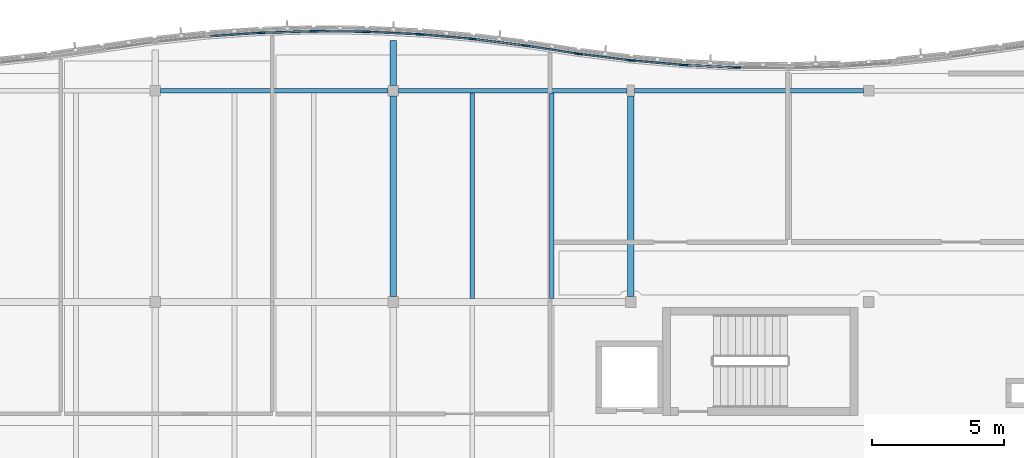
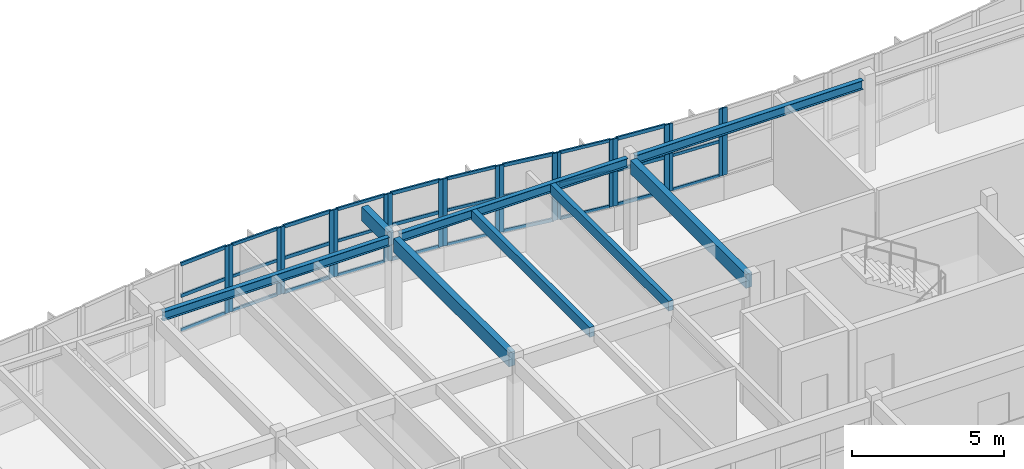
# One storey, part 15 of 52: 49 members, 8 beams, 11 elements without a shape of their own.
"""IFC4 building model written with IfcOpenShell, lengths in metres."""

import ifcopenshell
import ifcopenshell.guid

model = None  # the IFC model being written
_history = None  # IfcOwnerHistory: only IFC2X3 demands one
_inside = {}  # id of a spatial element -> (the spatial element, [elements in it])
_under = {}  # id of a project, library or spatial element -> (it, [spatial elements below it])
_declared = {}  # id of a project -> (the project, [libraries it declares])
_typed = {}  # id of a type object -> (the type object, [elements of that type])
_made_of = {}  # id of a material, layer set ... -> (it, [elements and type objects made of it])


def new_model(schema):
    """Start an empty IFC model of exactly this schema.

    Asked for "IFC4X3", IfcOpenShell would pick the latest addendum, in which some entities
    have other attributes; the version numbers below select the first issue.
    IFC2X3 requires an IfcOwnerHistory on every rooted entity: one is made here for all.
    """
    global model, _history
    if schema == "IFC4X3":
        model = ifcopenshell.file(schema_version=(4, 3, 0, 0))
    else:
        model = ifcopenshell.file(schema=schema)
    _inside.clear()
    _under.clear()
    _declared.clear()
    _typed.clear()
    _made_of.clear()
    _history = None
    if model.schema == "IFC2X3":
        org = make("IfcOrganization", Name="unknown")
        user = make(
            "IfcPersonAndOrganization",
            ThePerson=make("IfcPerson", FamilyName="unknown"),
            TheOrganization=org,
        )
        app = make(
            "IfcApplication",
            ApplicationDeveloper=org,
            Version="unknown",
            ApplicationFullName="unknown",
            ApplicationIdentifier="unknown",
        )
        _history = make(
            "IfcOwnerHistory",
            OwningUser=user,
            OwningApplication=app,
            ChangeAction="ADDED",
            CreationDate=0,
        )
    return model


def make(cls, **values):
    """One entity of the class cls with the attributes given. An attribute that is None is left unset."""
    return model.create_entity(
        cls, **{name: value for name, value in values.items() if value is not None}
    )


def rooted(cls, **values):
    """An entity with a GlobalId (a new one), such as an element, a storey or a relation."""
    return make(cls, GlobalId=ifcopenshell.guid.new(), OwnerHistory=_history, **values)


def si_unit(unit_type, name, prefix=None):
    """IfcSIUnit, for example si_unit("LENGTHUNIT", "METRE", prefix="MILLI")."""
    return make("IfcSIUnit", UnitType=unit_type, Prefix=prefix, Name=name)


def assignment(units):
    """IfcUnitAssignment: the units of a project."""
    return None if units is None else make("IfcUnitAssignment", Units=units)


def point(xyz):
    """IfcCartesianPoint."""
    return None if xyz is None else make("IfcCartesianPoint", Coordinates=xyz)


def direction(xyz):
    """IfcDirection."""
    return None if xyz is None else make("IfcDirection", DirectionRatios=xyz)


def frame(location, z_axis=None, x_axis=None):
    """IfcAxis2Placement3D, a coordinate frame: its origin and axes. An axis left out is left unset."""
    return make(
        "IfcAxis2Placement3D",
        Location=point(location),
        Axis=direction(z_axis),
        RefDirection=direction(x_axis),
    )


def frame_2d(location, x_axis=None):
    """IfcAxis2Placement2D, a coordinate frame in the plane: its origin and x axis."""
    return make(
        "IfcAxis2Placement2D", Location=point(location), RefDirection=direction(x_axis)
    )


def origin():
    """The frame at (0, 0, 0) with its axes left unset."""
    return frame((0.0, 0.0, 0.0))


def origin_2d():
    """The frame at (0, 0) in the plane with its x axis left unset."""
    return frame_2d((0.0, 0.0))


def place(relative_to, where):
    """IfcLocalPlacement: puts the frame where relative to a parent placement (None: the world)."""
    return make(
        "IfcLocalPlacement", PlacementRelTo=relative_to, RelativePlacement=where
    )


def context(
    kind, dimensions, precision=None, world=None, true_north=None, identifier=None
):
    """IfcGeometricRepresentationContext, for example the 3D "Model" context."""
    return make(
        "IfcGeometricRepresentationContext",
        ContextIdentifier=identifier,
        ContextType=kind,
        CoordinateSpaceDimension=dimensions,
        Precision=precision,
        WorldCoordinateSystem=world,
        TrueNorth=true_north,
    )


def subcontext(parent, identifier, kind, view, scale=None):
    """IfcGeometricRepresentationSubContext, for example "Body" below "Model"."""
    return make(
        "IfcGeometricRepresentationSubContext",
        ContextIdentifier=identifier,
        ContextType=kind,
        ParentContext=parent,
        TargetScale=scale,
        TargetView=view,
    )


def project(units=None, contexts=None):
    """IfcProject with its units and contexts."""
    return rooted(
        "IfcProject",
        Name="project",
        RepresentationContexts=contexts,
        UnitsInContext=assignment(units),
    )


def spatial(cls, under=None, at=None, **own):
    """A site, building, storey or space (cls), placed at a placement, below another one or the project."""
    s = rooted(cls, ObjectPlacement=at, **own)
    if under is not None:
        _under.setdefault(under.id(), (under, []))[1].append(s)
    return s


def profile(cls, at=None, kind="AREA", **sizes):
    """A parametric profile (cls). Its sizes go by their IFC names, for example OverallWidth=200.0."""
    return make(cls, ProfileType=kind, Position=at, **sizes)


def rectangle(**sizes):
    """IfcRectangleProfileDef."""
    return profile("IfcRectangleProfileDef", **sizes)


def i_section(**sizes):
    """IfcIShapeProfileDef."""
    return profile("IfcIShapeProfileDef", **sizes)


def extrude(swept, where, along, depth):
    """IfcExtrudedAreaSolid: the profile swept, set in the frame where, extruded along a direction by depth."""
    return make(
        "IfcExtrudedAreaSolid",
        SweptArea=swept,
        Position=where,
        ExtrudedDirection=direction(along),
        Depth=depth,
    )


def shape(context_of_items, identifier, shape_type, items):
    """IfcShapeRepresentation: the items that make up one representation, for example the "Body"."""
    return make(
        "IfcShapeRepresentation",
        ContextOfItems=context_of_items,
        RepresentationIdentifier=identifier,
        RepresentationType=shape_type,
        Items=items,
    )


def material(Name=None, Category=None):
    """IfcMaterial."""
    return make("IfcMaterial", Name=Name, Category=Category)


def layer(
    of_material, thickness, ventilated=None, Name=None, Category=None, Priority=None
):
    """IfcMaterialLayer: one layer of a wall or slab, of a material (None: an air gap)."""
    return make(
        "IfcMaterialLayer",
        Material=of_material,
        LayerThickness=thickness,
        IsVentilated=ventilated,
        Name=Name,
        Category=Category,
        Priority=Priority,
    )


def layer_set(layers, Name=None):
    """IfcMaterialLayerSet."""
    return make("IfcMaterialLayerSet", MaterialLayers=layers, LayerSetName=Name)


def material_profile(
    of_material, cross_section, Name=None, Category=None, Priority=None
):
    """IfcMaterialProfile: a cross section and its material."""
    return make(
        "IfcMaterialProfile",
        Name=Name,
        Material=of_material,
        Profile=cross_section,
        Priority=Priority,
        Category=Category,
    )


def profile_set(profiles, Name=None, composite=None):
    """IfcMaterialProfileSet."""
    return make(
        "IfcMaterialProfileSet",
        Name=Name,
        MaterialProfiles=profiles,
        CompositeProfile=composite,
    )


def made_of(thing, what):
    """Note that an element or type object is made of a material, layer set ...; save() writes the relation."""
    if what is not None:
        _made_of.setdefault(what.id(), (what, []))[1].append(thing)
    return thing


def type_object(cls, material=None, **own):
    """A type object (cls), such as IfcWallType, which elements share."""
    return made_of(rooted(cls, **own), material)


def element(
    cls,
    number,
    at=None,
    inside=None,
    cuts=None,
    type_object=None,
    material=None,
    context=None,
    identifier="Body",
    shape_type=None,
    held_by="IfcProductDefinitionShape",
    body=None,
    shapes=None,
    **own,
):
    """One element of the class cls, such as IfcWall. Its Tag is "e" and its number.

    at: its placement. inside: the storey or other place that contains it. cuts: it is an
    opening in that element (IfcRelVoidsElement). A single representation is given by context,
    identifier, shape_type and body (its items); several are given by shapes. held_by: the class
    of the entity that holds the representations. save() writes the other relations.
    """
    e = rooted(cls, Tag="e%d" % number, ObjectPlacement=at, **own)
    if body is not None:
        shapes = [shape(context, identifier, shape_type, body)]
    if shapes is not None:
        e.Representation = make(held_by, Representations=shapes)
    if inside is not None:
        _inside.setdefault(inside.id(), (inside, []))[1].append(e)
    if cuts is not None:
        rooted(
            "IfcRelVoidsElement", RelatingBuildingElement=cuts, RelatedOpeningElement=e
        )
    if type_object is not None:
        _typed.setdefault(type_object.id(), (type_object, []))[1].append(e)
    return made_of(e, material)


def aggregate(whole, parts):
    """IfcRelAggregates: a whole, such as a stair, and the parts it consists of."""
    return rooted("IfcRelAggregates", RelatingObject=whole, RelatedObjects=parts)


def save(model, path):
    """Write the relations noted so far, then the file.

    IfcRelAggregates (storeys below a building ...), IfcRelContainedInSpatialStructure (elements
    in a storey), IfcRelDefinesByType, IfcRelAssociatesMaterial and IfcRelDeclares: one each for
    every whole, place, type object, material and project.
    """
    for whole, parts in _under.values():
        aggregate(whole, parts)
    for where, things in _inside.values():
        rooted(
            "IfcRelContainedInSpatialStructure",
            RelatedElements=things,
            RelatingStructure=where,
        )
    for kind, things in _typed.values():
        rooted("IfcRelDefinesByType", RelatedObjects=things, RelatingType=kind)
    for what, things in _made_of.values():
        rooted("IfcRelAssociatesMaterial", RelatedObjects=things, RelatingMaterial=what)
    for by, libraries in _declared.values():
        rooted("IfcRelDeclares", RelatingContext=by, RelatedDefinitions=libraries)
    model.write(path)


model = new_model("IFC4")

# Units and contexts
model_context = context("Model", 3, precision=1e-05, world=origin(), true_north=direction((0.0, 1.0)))
body_context = subcontext(model_context, "Body", "Model", "MODEL_VIEW")
ifc_project = project(units=[si_unit("LENGTHUNIT", "METRE"), si_unit("AREAUNIT", "SQUARE_METRE"), si_unit("VOLUMEUNIT", "CUBIC_METRE"), si_unit("PLANEANGLEUNIT", "RADIAN"), si_unit("MASSUNIT", "GRAM", prefix="KILO")], contexts=[model_context])

# Site, building, storey
site_placement = place(None, origin())
site = spatial("IfcSite", under=ifc_project, at=site_placement, CompositionType="ELEMENT")
building_placement = place(site_placement, origin())
building = spatial("IfcBuilding", under=site, at=building_placement, Name="Tonlespit Floodbar School", CompositionType="ELEMENT")
storey_placement = place(building_placement, frame((0.0, 0.0, 12.300048828125)))
storey = spatial("IfcBuildingStorey", under=building, at=storey_placement, Name="L03", CompositionType="ELEMENT", Elevation=12.300048828125)

# Beams
ifc_material_1 = material(Name="Glulam GL28h", Category="wood")
ifc_material_profile_1 = material_profile(ifc_material_1, rectangle(XDim=0.239990234375, YDim=0.56005859375, at=origin_2d()), Name="GL 240x560")
ifc_profile_set_1 = profile_set([ifc_material_profile_1], Name="Glulam GL28h")
beam_type_1 = type_object("IfcBeamType", Name="Beam_GL_240x560", PredefinedType="BEAM", material=ifc_profile_set_1)
beam_1_placement = place(storey_placement, frame((89.0, 112.199951171875, 3.369873046875), z_axis=(0.0, 1.0, 0.0), x_axis=(-1.0, 0.0, 0.0)))
element("IfcBeam", 1, at=beam_1_placement, inside=storey, type_object=beam_type_1, Name="L03 girder 1230", PredefinedType="BEAM", context=body_context, shape_type="SweptSolid", body=[
    extrude(rectangle(XDim=0.239990234375, YDim=0.56005859375, at=origin_2d()), origin(), (0.0, 0.0, 1.0), 7.60009765625),
])
beam_2_placement = place(storey_placement, frame((98.0, 112.199951171875, 3.369873046875), z_axis=(0.0, 1.0, 0.0), x_axis=(-1.0, 0.0, 0.0)))
element("IfcBeam", 2, at=beam_2_placement, inside=storey, type_object=beam_type_1, Name="L03 girder 1231", PredefinedType="BEAM", context=body_context, shape_type="SweptSolid", body=[
    extrude(rectangle(XDim=0.239990234375, YDim=0.56005859375, at=origin_2d()), origin(), (0.0, 0.0, 1.0), 7.590087890625),
])
beam_3_placement = place(storey_placement, frame((89.0, 120.199951171875, 3.369873046875), z_axis=(0.0, 1.0, 0.0), x_axis=(-1.0, 0.0, 0.0)))
element("IfcBeam", 3, at=beam_3_placement, inside=storey, type_object=beam_type_1, Name="L03 north street wave cantilever bracket", PredefinedType="BEAM", context=body_context, shape_type="SweptSolid", body=[
    extrude(rectangle(XDim=0.239990234375, YDim=0.56005859375, at=origin_2d()), origin(), (0.0, 0.0, 1.0), 1.689453125),
])

# Curtain wall, members
ifc_material_2 = material(Name="Anodised Aluminium", Category="aluminium")
ifc_layer_1 = layer(ifc_material_2, 0.159912109375)
ifc_layer_set_1 = layer_set([ifc_layer_1], Name="Anodised Aluminium")
curtain_wall_type_1 = type_object("IfcCurtainWallType", Name="CurtainWall_1900x2700", PredefinedType="NOTDEFINED", material=ifc_layer_set_1)
curtain_wall_1_placement = place(storey_placement, origin())
curtain_wall_1 = element("IfcCurtainWall", 4, at=curtain_wall_1_placement, inside=storey, type_object=curtain_wall_type_1, Name="L03 unitised curtain wall 0144", PredefinedType="NOTDEFINED")
ifc_material_profile_2 = material_profile(ifc_material_2, rectangle(XDim=0.06494140625, YDim=0.14990234375, at=origin_2d()), Name="ALU M65x150")
ifc_profile_set_2 = profile_set([ifc_material_profile_2], Name="Anodised Aluminium")
member_type_1 = type_object("IfcMemberType", Name="CW_Mullion_65x150", PredefinedType="MULLION", material=ifc_profile_set_2)
member_1_placement = place(storey_placement, frame((84.072509765625, 122.19140625, 0.949951171875), z_axis=(0.0, 0.0, 1.0), x_axis=(-0.028790144226, 0.999585477883, 0.0)))
member_1 = element("IfcMember", 5, at=member_1_placement, type_object=member_type_1, Name="CW-05 mullion 1", PredefinedType="MULLION", context=body_context, shape_type="SweptSolid", body=[
    extrude(rectangle(XDim=0.06494140625, YDim=0.14990234375, at=origin_2d()), origin(), (0.0, 0.0, 1.0), 2.699951171875),
])
member_2_placement = place(storey_placement, frame((85.927490234375, 122.244873046875, 0.949951171875), z_axis=(0.0, 0.0, 1.0), x_axis=(-0.028790144226, 0.999585477883, 0.0)))
member_2 = element("IfcMember", 6, at=member_2_placement, type_object=member_type_1, Name="CW-05 mullion 2", PredefinedType="MULLION", context=body_context, shape_type="SweptSolid", body=[
    extrude(rectangle(XDim=0.06494140625, YDim=0.14990234375, at=origin_2d()), origin(), (0.0, 0.0, 1.0), 2.699951171875),
])

curtain_wall_2_placement = place(storey_placement, origin())
curtain_wall_2 = element("IfcCurtainWall", 7, at=curtain_wall_2_placement, inside=storey, type_object=curtain_wall_type_1, Name="L03 unitised curtain wall 0146", PredefinedType="NOTDEFINED")
member_3_placement = place(storey_placement, frame((88.072509765625, 122.224365234375, 0.949951171875), z_axis=(0.0, 0.0, 1.0), x_axis=(0.048121270216, 0.998841500616, 0.0)))
member_3 = element("IfcMember", 8, at=member_3_placement, type_object=member_type_1, Name="CW-05 mullion 1", PredefinedType="MULLION", context=body_context, shape_type="SweptSolid", body=[
    extrude(rectangle(XDim=0.06494140625, YDim=0.14990234375, at=origin_2d()), origin(), (0.0, 0.0, 1.0), 2.699951171875),
])
member_4_placement = place(storey_placement, frame((89.927490234375, 122.135009765625, 0.949951171875), z_axis=(0.0, 0.0, 1.0), x_axis=(0.048121270216, 0.998841500616, 0.0)))
member_4 = element("IfcMember", 9, at=member_4_placement, type_object=member_type_1, Name="CW-05 mullion 2", PredefinedType="MULLION", context=body_context, shape_type="SweptSolid", body=[
    extrude(rectangle(XDim=0.06494140625, YDim=0.14990234375, at=origin_2d()), origin(), (0.0, 0.0, 1.0), 2.699951171875),
])

ifc_layer_2 = layer(ifc_material_2, 0.159912109375)
ifc_layer_set_2 = layer_set([ifc_layer_2], Name="Anodised Aluminium")
curtain_wall_type_2 = type_object("IfcCurtainWallType", Name="CurtainWall_1950x2700", PredefinedType="NOTDEFINED", material=ifc_layer_set_2)
curtain_wall_3_placement = place(storey_placement, origin())
curtain_wall_3 = element("IfcCurtainWall", 10, at=curtain_wall_3_placement, inside=storey, type_object=curtain_wall_type_2, Name="L03 unitised curtain wall 0148", PredefinedType="NOTDEFINED")
member_5_placement = place(storey_placement, frame((92.072021484375, 121.94873046875, 0.949951171875), z_axis=(0.0, 0.0, 1.0), x_axis=(0.125013803299, 0.992155002499, 0.0)))
member_5 = element("IfcMember", 11, at=member_5_placement, type_object=member_type_1, Name="CW-04 mullion 1", PredefinedType="MULLION", context=body_context, shape_type="SweptSolid", body=[
    extrude(rectangle(XDim=0.06494140625, YDim=0.14990234375, at=origin_2d()), origin(), (0.0, 0.0, 1.0), 2.699951171875),
])
member_6_placement = place(storey_placement, frame((93.927978515625, 121.71484375, 0.949951171875), z_axis=(0.0, 0.0, 1.0), x_axis=(0.125013803299, 0.992155002499, 0.0)))
member_6 = element("IfcMember", 12, at=member_6_placement, type_object=member_type_1, Name="CW-04 mullion 2", PredefinedType="MULLION", context=body_context, shape_type="SweptSolid", body=[
    extrude(rectangle(XDim=0.06494140625, YDim=0.14990234375, at=origin_2d()), origin(), (0.0, 0.0, 1.0), 2.699951171875),
])

curtain_wall_4_placement = place(storey_placement, origin())
curtain_wall_4 = element("IfcCurtainWall", 13, at=curtain_wall_4_placement, inside=storey, type_object=curtain_wall_type_2, Name="L03 unitised curtain wall 0150", PredefinedType="NOTDEFINED")
member_7_placement = place(storey_placement, frame((96.072021484375, 121.38525390625, 0.949951171875), z_axis=(0.0, 0.0, 1.0), x_axis=(0.125013803299, 0.992155002499, 0.0)))
member_7 = element("IfcMember", 14, at=member_7_placement, type_object=member_type_1, Name="CW-04 mullion 1", PredefinedType="MULLION", context=body_context, shape_type="SweptSolid", body=[
    extrude(rectangle(XDim=0.06494140625, YDim=0.14990234375, at=origin_2d()), origin(), (0.0, 0.0, 1.0), 2.699951171875),
])
member_8_placement = place(storey_placement, frame((97.927978515625, 121.1513671875, 0.949951171875), z_axis=(0.0, 0.0, 1.0), x_axis=(0.125013803299, 0.992155002499, 0.0)))
member_8 = element("IfcMember", 15, at=member_8_placement, type_object=member_type_1, Name="CW-04 mullion 2", PredefinedType="MULLION", context=body_context, shape_type="SweptSolid", body=[
    extrude(rectangle(XDim=0.06494140625, YDim=0.14990234375, at=origin_2d()), origin(), (0.0, 0.0, 1.0), 2.699951171875),
])

curtain_wall_5_placement = place(storey_placement, origin())
curtain_wall_5 = element("IfcCurtainWall", 16, at=curtain_wall_5_placement, inside=storey, type_object=curtain_wall_type_1, Name="L03 unitised curtain wall 0152", PredefinedType="NOTDEFINED")
member_9_placement = place(storey_placement, frame((100.072509765625, 120.965087890625, 0.949951171875), z_axis=(0.0, 0.0, 1.0), x_axis=(0.048121270216, 0.998841500616, 0.0)))
member_9 = element("IfcMember", 17, at=member_9_placement, type_object=member_type_1, Name="CW-05 mullion 1", PredefinedType="MULLION", context=body_context, shape_type="SweptSolid", body=[
    extrude(rectangle(XDim=0.06494140625, YDim=0.14990234375, at=origin_2d()), origin(), (0.0, 0.0, 1.0), 2.699951171875),
])
member_10_placement = place(storey_placement, frame((101.927490234375, 120.875732421875, 0.949951171875), z_axis=(0.0, 0.0, 1.0), x_axis=(0.048121270216, 0.998841500616, 0.0)))
member_10 = element("IfcMember", 18, at=member_10_placement, type_object=member_type_1, Name="CW-05 mullion 2", PredefinedType="MULLION", context=body_context, shape_type="SweptSolid", body=[
    extrude(rectangle(XDim=0.06494140625, YDim=0.14990234375, at=origin_2d()), origin(), (0.0, 0.0, 1.0), 2.699951171875),
])

# Curtain wall, member
curtain_wall_6_placement = place(storey_placement, origin())
curtain_wall_6 = element("IfcCurtainWall", 19, at=curtain_wall_6_placement, inside=storey, type_object=curtain_wall_type_1, Name="L03 unitised curtain wall 0143", PredefinedType="NOTDEFINED")
ifc_material_profile_3 = material_profile(ifc_material_2, rectangle(XDim=0.06494140625, YDim=0.179931640625, at=origin_2d()), Name="ALU M65x180")
ifc_profile_set_3 = profile_set([ifc_material_profile_3], Name="Anodised Aluminium")
member_type_2 = type_object("IfcMemberType", Name="CW_Mullion_65x180", PredefinedType="MULLION", material=ifc_profile_set_3)
member_11_placement = place(storey_placement, frame((83.927734375, 122.184326171875, 0.949951171875), z_axis=(0.0, 0.0, 1.0), x_axis=(-0.067339767311, 0.99773010165, 0.0)))
member_11 = element("IfcMember", 20, at=member_11_placement, type_object=member_type_2, Name="CW-05 mullion 2", PredefinedType="MULLION", context=body_context, shape_type="SweptSolid", body=[
    extrude(rectangle(XDim=0.06494140625, YDim=0.179931640625, at=origin_2d()), origin(), (0.0, 0.0, 1.0), 2.699951171875),
])

# Curtain wall, members
curtain_wall_7_placement = place(storey_placement, origin())
curtain_wall_7 = element("IfcCurtainWall", 21, at=curtain_wall_7_placement, inside=storey, type_object=curtain_wall_type_1, Name="L03 unitised curtain wall 0145", PredefinedType="NOTDEFINED")
member_12_placement = place(storey_placement, frame((86.072509765625, 122.246337890625, 0.949951171875), z_axis=(0.0, 0.0, 1.0), x_axis=(0.009582893292, 0.999954083024, 0.0)))
member_12 = element("IfcMember", 22, at=member_12_placement, type_object=member_type_2, Name="CW-05 mullion 1", PredefinedType="MULLION", context=body_context, shape_type="SweptSolid", body=[
    extrude(rectangle(XDim=0.06494140625, YDim=0.179931640625, at=origin_2d()), origin(), (0.0, 0.0, 1.0), 2.699951171875),
])
member_13_placement = place(storey_placement, frame((87.927490234375, 122.228515625, 0.949951171875), z_axis=(0.0, 0.0, 1.0), x_axis=(0.009582893292, 0.999954083024, 0.0)))
member_13 = element("IfcMember", 23, at=member_13_placement, type_object=member_type_2, Name="CW-05 mullion 2", PredefinedType="MULLION", context=body_context, shape_type="SweptSolid", body=[
    extrude(rectangle(XDim=0.06494140625, YDim=0.179931640625, at=origin_2d()), origin(), (0.0, 0.0, 1.0), 2.699951171875),
])

curtain_wall_8_placement = place(storey_placement, origin())
curtain_wall_8 = element("IfcCurtainWall", 24, at=curtain_wall_8_placement, inside=storey, type_object=curtain_wall_type_2, Name="L03 unitised curtain wall 0147", PredefinedType="NOTDEFINED")
member_14_placement = place(storey_placement, frame((90.072265625, 122.125244140625, 0.949951171875), z_axis=(0.0, 0.0, 1.0), x_axis=(0.086531117454, 0.996249148412, 0.0)))
member_14 = element("IfcMember", 25, at=member_14_placement, type_object=member_type_2, Name="CW-04 mullion 1", PredefinedType="MULLION", context=body_context, shape_type="SweptSolid", body=[
    extrude(rectangle(XDim=0.06494140625, YDim=0.179931640625, at=origin_2d()), origin(), (0.0, 0.0, 1.0), 2.699951171875),
])
member_15_placement = place(storey_placement, frame((91.927734375, 121.964111328125, 0.949951171875), z_axis=(0.0, 0.0, 1.0), x_axis=(0.086531117454, 0.996249148412, 0.0)))
member_15 = element("IfcMember", 26, at=member_15_placement, type_object=member_type_2, Name="CW-04 mullion 2", PredefinedType="MULLION", context=body_context, shape_type="SweptSolid", body=[
    extrude(rectangle(XDim=0.06494140625, YDim=0.179931640625, at=origin_2d()), origin(), (0.0, 0.0, 1.0), 2.699951171875),
])

curtain_wall_9_placement = place(storey_placement, origin())
curtain_wall_9 = element("IfcCurtainWall", 27, at=curtain_wall_9_placement, inside=storey, type_object=curtain_wall_type_2, Name="L03 unitised curtain wall 0149", PredefinedType="NOTDEFINED")
member_16_placement = place(storey_placement, frame((94.071533203125, 121.694580078125, 0.949951171875), z_axis=(0.0, 0.0, 1.0), x_axis=(0.153796288585, 0.988102576465, 0.0)))
member_16 = element("IfcMember", 28, at=member_16_placement, type_object=member_type_2, Name="CW-04 mullion 1", PredefinedType="MULLION", context=body_context, shape_type="SweptSolid", body=[
    extrude(rectangle(XDim=0.06494140625, YDim=0.179931640625, at=origin_2d()), origin(), (0.0, 0.0, 1.0), 2.699951171875),
])
member_17_placement = place(storey_placement, frame((95.928466796875, 121.405517578125, 0.949951171875), z_axis=(0.0, 0.0, 1.0), x_axis=(0.153796288585, 0.988102576465, 0.0)))
member_17 = element("IfcMember", 29, at=member_17_placement, type_object=member_type_2, Name="CW-04 mullion 2", PredefinedType="MULLION", context=body_context, shape_type="SweptSolid", body=[
    extrude(rectangle(XDim=0.06494140625, YDim=0.179931640625, at=origin_2d()), origin(), (0.0, 0.0, 1.0), 2.699951171875),
])

curtain_wall_10_placement = place(storey_placement, origin())
curtain_wall_10 = element("IfcCurtainWall", 30, at=curtain_wall_10_placement, inside=storey, type_object=curtain_wall_type_2, Name="L03 unitised curtain wall 0151", PredefinedType="NOTDEFINED")
member_18_placement = place(storey_placement, frame((98.072265625, 121.135986328125, 0.949951171875), z_axis=(0.0, 0.0, 1.0), x_axis=(0.086531117454, 0.996249148412, 0.0)))
member_18 = element("IfcMember", 31, at=member_18_placement, type_object=member_type_2, Name="CW-04 mullion 1", PredefinedType="MULLION", context=body_context, shape_type="SweptSolid", body=[
    extrude(rectangle(XDim=0.06494140625, YDim=0.179931640625, at=origin_2d()), origin(), (0.0, 0.0, 1.0), 2.699951171875),
])
member_19_placement = place(storey_placement, frame((99.927734375, 120.974853515625, 0.949951171875), z_axis=(0.0, 0.0, 1.0), x_axis=(0.086531117454, 0.996249148412, 0.0)))
member_19 = element("IfcMember", 32, at=member_19_placement, type_object=member_type_2, Name="CW-04 mullion 2", PredefinedType="MULLION", context=body_context, shape_type="SweptSolid", body=[
    extrude(rectangle(XDim=0.06494140625, YDim=0.179931640625, at=origin_2d()), origin(), (0.0, 0.0, 1.0), 2.699951171875),
])

# Curtain wall, member
curtain_wall_11_placement = place(storey_placement, origin())
curtain_wall_11 = element("IfcCurtainWall", 33, at=curtain_wall_11_placement, inside=storey, type_object=curtain_wall_type_1, Name="L03 unitised curtain wall 0153", PredefinedType="NOTDEFINED")
member_20_placement = place(storey_placement, frame((102.072509765625, 120.87158203125, 0.949951171875), z_axis=(0.0, 0.0, 1.0), x_axis=(0.009582893292, 0.999954083024, 0.0)))
member_20 = element("IfcMember", 34, at=member_20_placement, type_object=member_type_2, Name="CW-05 mullion 1", PredefinedType="MULLION", context=body_context, shape_type="SweptSolid", body=[
    extrude(rectangle(XDim=0.06494140625, YDim=0.179931640625, at=origin_2d()), origin(), (0.0, 0.0, 1.0), 2.699951171875),
])
aggregate(curtain_wall_11, [member_20])

# Member
ifc_material_profile_4 = material_profile(ifc_material_2, rectangle(XDim=0.06494140625, YDim=0.1201171875, at=origin_2d()), Name="ALU T65x120")
ifc_profile_set_4 = profile_set([ifc_material_profile_4], Name="Anodised Aluminium")
member_type_3 = type_object("IfcMemberType", Name="CW_Transom_65x120", PredefinedType="USERDEFINED", material=ifc_profile_set_4)
member_21_placement = place(storey_placement, frame((84.10498046875, 122.1923828125, 0.982421875), z_axis=(0.999586171543, 0.02876605049, 0.0), x_axis=(-0.02876605049, 0.999586171543, 0.0)))
member_21 = element("IfcMember", 35, at=member_21_placement, type_object=member_type_3, Name="CW-05 transom 1.1", ObjectType="TRANSOM", PredefinedType="USERDEFINED", context=body_context, shape_type="SweptSolid", body=[
    extrude(rectangle(XDim=0.06494140625, YDim=0.1201171875, at=origin_2d()), origin(), (0.0, 0.0, 1.0), 1.790771484375),
])

member_22_placement = place(storey_placement, frame((84.10498046875, 122.1923828125, 2.35400390625), z_axis=(0.999586171543, 0.02876605049, 0.0), x_axis=(-0.02876605049, 0.999586171543, 0.0)))
member_22 = element("IfcMember", 36, at=member_22_placement, type_object=member_type_3, Name="CW-05 transom 1.2", ObjectType="TRANSOM", PredefinedType="USERDEFINED", context=body_context, shape_type="SweptSolid", body=[
    extrude(rectangle(XDim=0.06494140625, YDim=0.1201171875, at=origin_2d()), origin(), (0.0, 0.0, 1.0), 1.790771484375),
])

member_23_placement = place(storey_placement, frame((84.10498046875, 122.1923828125, 3.617431640625), z_axis=(0.999586171543, 0.02876605049, 0.0), x_axis=(-0.02876605049, 0.999586171543, 0.0)))
member_23 = element("IfcMember", 37, at=member_23_placement, type_object=member_type_3, Name="CW-05 transom 1.3", ObjectType="TRANSOM", PredefinedType="USERDEFINED", context=body_context, shape_type="SweptSolid", body=[
    extrude(rectangle(XDim=0.06494140625, YDim=0.1201171875, at=origin_2d()), origin(), (0.0, 0.0, 1.0), 1.790771484375),
])

aggregate(curtain_wall_1, [member_1, member_2, member_21, member_22, member_23])

member_24_placement = place(storey_placement, frame((88.10498046875, 122.22265625, 0.982421875), z_axis=(0.998843034795, -0.048089415069, 0.0), x_axis=(0.048089415069, 0.998843034795, 0.0)))
member_24 = element("IfcMember", 38, at=member_24_placement, type_object=member_type_3, Name="CW-05 transom 1.1", ObjectType="TRANSOM", PredefinedType="USERDEFINED", context=body_context, shape_type="SweptSolid", body=[
    extrude(rectangle(XDim=0.06494140625, YDim=0.1201171875, at=origin_2d()), origin(), (0.0, 0.0, 1.0), 1.7919921875),
])

member_25_placement = place(storey_placement, frame((88.10498046875, 122.22265625, 2.35400390625), z_axis=(0.998843034795, -0.048089415069, 0.0), x_axis=(0.048089415069, 0.998843034795, 0.0)))
member_25 = element("IfcMember", 39, at=member_25_placement, type_object=member_type_3, Name="CW-05 transom 1.2", ObjectType="TRANSOM", PredefinedType="USERDEFINED", context=body_context, shape_type="SweptSolid", body=[
    extrude(rectangle(XDim=0.06494140625, YDim=0.1201171875, at=origin_2d()), origin(), (0.0, 0.0, 1.0), 1.7919921875),
])

member_26_placement = place(storey_placement, frame((88.10498046875, 122.22265625, 3.617431640625), z_axis=(0.998843034795, -0.048089415069, 0.0), x_axis=(0.048089415069, 0.998843034795, 0.0)))
member_26 = element("IfcMember", 40, at=member_26_placement, type_object=member_type_3, Name="CW-05 transom 1.3", ObjectType="TRANSOM", PredefinedType="USERDEFINED", context=body_context, shape_type="SweptSolid", body=[
    extrude(rectangle(XDim=0.06494140625, YDim=0.1201171875, at=origin_2d()), origin(), (0.0, 0.0, 1.0), 1.7919921875),
])

aggregate(curtain_wall_2, [member_3, member_4, member_24, member_25, member_26])

member_27_placement = place(storey_placement, frame((92.104248046875, 121.944580078125, 0.982421875), z_axis=(0.992148373735, -0.125066400341, 0.0), x_axis=(0.125066400341, 0.992148373735, 0.0)))
member_27 = element("IfcMember", 41, at=member_27_placement, type_object=member_type_3, Name="CW-04 transom 1.1", ObjectType="TRANSOM", PredefinedType="USERDEFINED", context=body_context, shape_type="SweptSolid", body=[
    extrude(rectangle(XDim=0.06494140625, YDim=0.1201171875, at=origin_2d()), origin(), (0.0, 0.0, 1.0), 1.8056640625),
])

member_28_placement = place(storey_placement, frame((92.104248046875, 121.944580078125, 2.35400390625), z_axis=(0.992148373735, -0.125066400341, 0.0), x_axis=(0.125066400341, 0.992148373735, 0.0)))
member_28 = element("IfcMember", 42, at=member_28_placement, type_object=member_type_3, Name="CW-04 transom 1.2", ObjectType="TRANSOM", PredefinedType="USERDEFINED", context=body_context, shape_type="SweptSolid", body=[
    extrude(rectangle(XDim=0.06494140625, YDim=0.1201171875, at=origin_2d()), origin(), (0.0, 0.0, 1.0), 1.8056640625),
])

member_29_placement = place(storey_placement, frame((92.104248046875, 121.944580078125, 3.617431640625), z_axis=(0.992148373735, -0.125066400341, 0.0), x_axis=(0.125066400341, 0.992148373735, 0.0)))
member_29 = element("IfcMember", 43, at=member_29_placement, type_object=member_type_3, Name="CW-04 transom 1.3", ObjectType="TRANSOM", PredefinedType="USERDEFINED", context=body_context, shape_type="SweptSolid", body=[
    extrude(rectangle(XDim=0.06494140625, YDim=0.1201171875, at=origin_2d()), origin(), (0.0, 0.0, 1.0), 1.8056640625),
])

aggregate(curtain_wall_3, [member_5, member_6, member_27, member_28, member_29])

member_30_placement = place(storey_placement, frame((96.104248046875, 121.381103515625, 0.982421875), z_axis=(0.992165142165, -0.124933304901, 0.0), x_axis=(0.124933304901, 0.992165142165, 0.0)))
member_30 = element("IfcMember", 44, at=member_30_placement, type_object=member_type_3, Name="CW-04 transom 1.1", ObjectType="TRANSOM", PredefinedType="USERDEFINED", context=body_context, shape_type="SweptSolid", body=[
    extrude(rectangle(XDim=0.06494140625, YDim=0.1201171875, at=origin_2d()), origin(), (0.0, 0.0, 1.0), 1.8056640625),
])

member_31_placement = place(storey_placement, frame((96.104248046875, 121.381103515625, 2.35400390625), z_axis=(0.992165142165, -0.124933304901, 0.0), x_axis=(0.124933304901, 0.992165142165, 0.0)))
member_31 = element("IfcMember", 45, at=member_31_placement, type_object=member_type_3, Name="CW-04 transom 1.2", ObjectType="TRANSOM", PredefinedType="USERDEFINED", context=body_context, shape_type="SweptSolid", body=[
    extrude(rectangle(XDim=0.06494140625, YDim=0.1201171875, at=origin_2d()), origin(), (0.0, 0.0, 1.0), 1.8056640625),
])

member_32_placement = place(storey_placement, frame((96.104248046875, 121.381103515625, 3.617431640625), z_axis=(0.992165142165, -0.124933304901, 0.0), x_axis=(0.124933304901, 0.992165142165, 0.0)))
member_32 = element("IfcMember", 46, at=member_32_placement, type_object=member_type_3, Name="CW-04 transom 1.3", ObjectType="TRANSOM", PredefinedType="USERDEFINED", context=body_context, shape_type="SweptSolid", body=[
    extrude(rectangle(XDim=0.06494140625, YDim=0.1201171875, at=origin_2d()), origin(), (0.0, 0.0, 1.0), 1.8056640625),
])

aggregate(curtain_wall_4, [member_7, member_8, member_30, member_31, member_32])

member_33_placement = place(storey_placement, frame((100.10498046875, 120.96337890625, 0.982421875), z_axis=(0.998843034795, -0.048089415069, 0.0), x_axis=(0.048089415069, 0.998843034795, 0.0)))
member_33 = element("IfcMember", 47, at=member_33_placement, type_object=member_type_3, Name="CW-05 transom 1.1", ObjectType="TRANSOM", PredefinedType="USERDEFINED", context=body_context, shape_type="SweptSolid", body=[
    extrude(rectangle(XDim=0.06494140625, YDim=0.1201171875, at=origin_2d()), origin(), (0.0, 0.0, 1.0), 1.7919921875),
])

member_34_placement = place(storey_placement, frame((100.10498046875, 120.96337890625, 2.35400390625), z_axis=(0.998843034795, -0.048089415069, 0.0), x_axis=(0.048089415069, 0.998843034795, 0.0)))
member_34 = element("IfcMember", 48, at=member_34_placement, type_object=member_type_3, Name="CW-05 transom 1.2", ObjectType="TRANSOM", PredefinedType="USERDEFINED", context=body_context, shape_type="SweptSolid", body=[
    extrude(rectangle(XDim=0.06494140625, YDim=0.1201171875, at=origin_2d()), origin(), (0.0, 0.0, 1.0), 1.7919921875),
])

aggregate(curtain_wall_5, [member_9, member_10, member_33, member_34])

ifc_material_profile_5 = material_profile(ifc_material_2, rectangle(XDim=0.06494140625, YDim=0.139892578125, at=origin_2d()), Name="ALU T65x140")
ifc_profile_set_5 = profile_set([ifc_material_profile_5], Name="Anodised Aluminium")
member_type_4 = type_object("IfcMemberType", Name="CW_Transom_65x140", PredefinedType="USERDEFINED", material=ifc_profile_set_5)
member_35_placement = place(storey_placement, frame((82.104736328125, 122.061279296875, 0.982421875), z_axis=(0.997730041674, 0.067340655935, 0.0), x_axis=(-0.067340655935, 0.997730041674, 0.0)))
member_35 = element("IfcMember", 49, at=member_35_placement, type_object=member_type_4, Name="CW-05 transom 1.1", ObjectType="TRANSOM", PredefinedType="USERDEFINED", context=body_context, shape_type="SweptSolid", body=[
    extrude(rectangle(XDim=0.06494140625, YDim=0.139892578125, at=origin_2d()), origin(), (0.0, 0.0, 1.0), 1.794677734375),
])

member_36_placement = place(storey_placement, frame((82.104736328125, 122.061279296875, 2.35400390625), z_axis=(0.997730041674, 0.067340655935, 0.0), x_axis=(-0.067340655935, 0.997730041674, 0.0)))
member_36 = element("IfcMember", 50, at=member_36_placement, type_object=member_type_4, Name="CW-05 transom 1.2", ObjectType="TRANSOM", PredefinedType="USERDEFINED", context=body_context, shape_type="SweptSolid", body=[
    extrude(rectangle(XDim=0.06494140625, YDim=0.139892578125, at=origin_2d()), origin(), (0.0, 0.0, 1.0), 1.794677734375),
])

member_37_placement = place(storey_placement, frame((82.104736328125, 122.061279296875, 3.617431640625), z_axis=(0.997730041674, 0.067340655935, 0.0), x_axis=(-0.067340655935, 0.997730041674, 0.0)))
member_37 = element("IfcMember", 51, at=member_37_placement, type_object=member_type_4, Name="CW-05 transom 1.3", ObjectType="TRANSOM", PredefinedType="USERDEFINED", context=body_context, shape_type="SweptSolid", body=[
    extrude(rectangle(XDim=0.06494140625, YDim=0.139892578125, at=origin_2d()), origin(), (0.0, 0.0, 1.0), 1.794677734375),
])

aggregate(curtain_wall_6, [member_11, member_35, member_36, member_37])

member_38_placement = place(storey_placement, frame((86.10498046875, 122.24609375, 0.982421875), z_axis=(0.999953117448, -0.009683124842, 0.0), x_axis=(0.009683124842, 0.999953117448, 0.0)))
member_38 = element("IfcMember", 52, at=member_38_placement, type_object=member_type_4, Name="CW-05 transom 1.1", ObjectType="TRANSOM", PredefinedType="USERDEFINED", context=body_context, shape_type="SweptSolid", body=[
    extrude(rectangle(XDim=0.06494140625, YDim=0.139892578125, at=origin_2d()), origin(), (0.0, 0.0, 1.0), 1.7900390625),
])

member_39_placement = place(storey_placement, frame((86.10498046875, 122.24609375, 2.35400390625), z_axis=(0.999953117448, -0.009683124842, 0.0), x_axis=(0.009683124842, 0.999953117448, 0.0)))
member_39 = element("IfcMember", 53, at=member_39_placement, type_object=member_type_4, Name="CW-05 transom 1.2", ObjectType="TRANSOM", PredefinedType="USERDEFINED", context=body_context, shape_type="SweptSolid", body=[
    extrude(rectangle(XDim=0.06494140625, YDim=0.139892578125, at=origin_2d()), origin(), (0.0, 0.0, 1.0), 1.7900390625),
])

member_40_placement = place(storey_placement, frame((86.10498046875, 122.24609375, 3.617431640625), z_axis=(0.999953117448, -0.009683124842, 0.0), x_axis=(0.009683124842, 0.999953117448, 0.0)))
member_40 = element("IfcMember", 54, at=member_40_placement, type_object=member_type_4, Name="CW-05 transom 1.3", ObjectType="TRANSOM", PredefinedType="USERDEFINED", context=body_context, shape_type="SweptSolid", body=[
    extrude(rectangle(XDim=0.06494140625, YDim=0.139892578125, at=origin_2d()), origin(), (0.0, 0.0, 1.0), 1.7900390625),
])

aggregate(curtain_wall_7, [member_12, member_13, member_38, member_39, member_40])

member_41_placement = place(storey_placement, frame((90.1044921875, 122.122314453125, 0.982421875), z_axis=(0.996251281774, -0.086506552139, 0.0), x_axis=(0.086506552139, 0.996251281774, 0.0)))
member_41 = element("IfcMember", 55, at=member_41_placement, type_object=member_type_4, Name="CW-04 transom 1.1", ObjectType="TRANSOM", PredefinedType="USERDEFINED", context=body_context, shape_type="SweptSolid", body=[
    extrude(rectangle(XDim=0.06494140625, YDim=0.139892578125, at=origin_2d()), origin(), (0.0, 0.0, 1.0), 1.7978515625),
])

member_42_placement = place(storey_placement, frame((90.1044921875, 122.122314453125, 2.35400390625), z_axis=(0.996251281774, -0.086506552139, 0.0), x_axis=(0.086506552139, 0.996251281774, 0.0)))
member_42 = element("IfcMember", 56, at=member_42_placement, type_object=member_type_4, Name="CW-04 transom 1.2", ObjectType="TRANSOM", PredefinedType="USERDEFINED", context=body_context, shape_type="SweptSolid", body=[
    extrude(rectangle(XDim=0.06494140625, YDim=0.139892578125, at=origin_2d()), origin(), (0.0, 0.0, 1.0), 1.7978515625),
])

member_43_placement = place(storey_placement, frame((90.1044921875, 122.122314453125, 3.617431640625), z_axis=(0.996251281774, -0.086506552139, 0.0), x_axis=(0.086506552139, 0.996251281774, 0.0)))
member_43 = element("IfcMember", 57, at=member_43_placement, type_object=member_type_4, Name="CW-04 transom 1.3", ObjectType="TRANSOM", PredefinedType="USERDEFINED", context=body_context, shape_type="SweptSolid", body=[
    extrude(rectangle(XDim=0.06494140625, YDim=0.139892578125, at=origin_2d()), origin(), (0.0, 0.0, 1.0), 1.7978515625),
])

aggregate(curtain_wall_8, [member_14, member_15, member_41, member_42, member_43])

member_44_placement = place(storey_placement, frame((94.103759765625, 121.689453125, 0.982421875), z_axis=(0.988097838313, -0.15382672694, 0.0), x_axis=(0.15382672694, 0.988097838313, 0.0)))
member_44 = element("IfcMember", 58, at=member_44_placement, type_object=member_type_4, Name="CW-04 transom 1.1", ObjectType="TRANSOM", PredefinedType="USERDEFINED", context=body_context, shape_type="SweptSolid", body=[
    extrude(rectangle(XDim=0.06494140625, YDim=0.139892578125, at=origin_2d()), origin(), (0.0, 0.0, 1.0), 1.81396484375),
])

member_45_placement = place(storey_placement, frame((94.103759765625, 121.689453125, 2.35400390625), z_axis=(0.988097838313, -0.15382672694, 0.0), x_axis=(0.15382672694, 0.988097838313, 0.0)))
member_45 = element("IfcMember", 59, at=member_45_placement, type_object=member_type_4, Name="CW-04 transom 1.2", ObjectType="TRANSOM", PredefinedType="USERDEFINED", context=body_context, shape_type="SweptSolid", body=[
    extrude(rectangle(XDim=0.06494140625, YDim=0.139892578125, at=origin_2d()), origin(), (0.0, 0.0, 1.0), 1.81396484375),
])

member_46_placement = place(storey_placement, frame((94.103759765625, 121.689453125, 3.617431640625), z_axis=(0.988097838313, -0.15382672694, 0.0), x_axis=(0.15382672694, 0.988097838313, 0.0)))
member_46 = element("IfcMember", 60, at=member_46_placement, type_object=member_type_4, Name="CW-04 transom 1.3", ObjectType="TRANSOM", PredefinedType="USERDEFINED", context=body_context, shape_type="SweptSolid", body=[
    extrude(rectangle(XDim=0.06494140625, YDim=0.139892578125, at=origin_2d()), origin(), (0.0, 0.0, 1.0), 1.81396484375),
])

aggregate(curtain_wall_9, [member_16, member_17, member_44, member_45, member_46])

member_47_placement = place(storey_placement, frame((98.1044921875, 121.133056640625, 0.982421875), z_axis=(0.996251281774, -0.086506552139, 0.0), x_axis=(0.086506552139, 0.996251281774, 0.0)))
member_47 = element("IfcMember", 61, at=member_47_placement, type_object=member_type_4, Name="CW-04 transom 1.1", ObjectType="TRANSOM", PredefinedType="USERDEFINED", context=body_context, shape_type="SweptSolid", body=[
    extrude(rectangle(XDim=0.06494140625, YDim=0.139892578125, at=origin_2d()), origin(), (0.0, 0.0, 1.0), 1.7978515625),
])

member_48_placement = place(storey_placement, frame((98.1044921875, 121.133056640625, 2.35400390625), z_axis=(0.996251281774, -0.086506552139, 0.0), x_axis=(0.086506552139, 0.996251281774, 0.0)))
member_48 = element("IfcMember", 62, at=member_48_placement, type_object=member_type_4, Name="CW-04 transom 1.2", ObjectType="TRANSOM", PredefinedType="USERDEFINED", context=body_context, shape_type="SweptSolid", body=[
    extrude(rectangle(XDim=0.06494140625, YDim=0.139892578125, at=origin_2d()), origin(), (0.0, 0.0, 1.0), 1.7978515625),
])

member_49_placement = place(storey_placement, frame((98.1044921875, 121.133056640625, 3.617431640625), z_axis=(0.996251281774, -0.086506552139, 0.0), x_axis=(0.086506552139, 0.996251281774, 0.0)))
member_49 = element("IfcMember", 63, at=member_49_placement, type_object=member_type_4, Name="CW-04 transom 1.3", ObjectType="TRANSOM", PredefinedType="USERDEFINED", context=body_context, shape_type="SweptSolid", body=[
    extrude(rectangle(XDim=0.06494140625, YDim=0.139892578125, at=origin_2d()), origin(), (0.0, 0.0, 1.0), 1.7978515625),
])

aggregate(curtain_wall_10, [member_18, member_19, member_47, member_48, member_49])

# Beams
ifc_material_profile_6 = material_profile(ifc_material_1, rectangle(XDim=0.179931640625, YDim=0.39990234375, at=origin_2d()), Name="GL 180x400")
ifc_profile_set_6 = profile_set([ifc_material_profile_6], Name="Glulam GL28h")
beam_type_2 = type_object("IfcBeamType", Name="Joist_GL_180x400", PredefinedType="JOIST", material=ifc_profile_set_6)
for number, where, z_axis, x_axis, name in (
    (64, (92.0, 112.139892578125, 3.449951171875), (0.0, 1.0, 0.0), (-1.0, 0.0, 0.0), "L03 secondary joist 1269"),
    (65, (95.0, 112.139892578125, 3.449951171875), (0.0, 1.0, 0.0), (-1.0, 0.0, 0.0), "L03 secondary joist 1270"),
):
    element("IfcBeam", number, at=place(storey_placement, frame(where, z_axis=z_axis, x_axis=x_axis)), inside=storey, type_object=beam_type_2, Name=name, PredefinedType="JOIST", context=body_context, shape_type="SweptSolid", body=[
        extrude(rectangle(XDim=0.179931640625, YDim=0.39990234375, at=origin_2d()), origin(), (0.0, 0.0, 1.0), 7.775146484375),
    ])
ifc_material_3 = material(Name="Steel S355", Category="steel")
ifc_material_profile_7 = material_profile(ifc_material_3, i_section(OverallWidth=0.169921875, OverallDepth=0.360107421875, WebThickness=0.008056640625, FlangeThickness=0.0126953125, at=origin_2d()), Name="IPE 360")
ifc_profile_set_7 = profile_set([ifc_material_profile_7], Name="Steel S355")
beam_type_3 = type_object("IfcBeamType", Name="Spandrel_STL_IPE360", PredefinedType="SPANDREL", material=ifc_profile_set_7)
beam_4_placement = place(storey_placement, frame((80.199951171875, 120.0, 3.469970703125), z_axis=(1.0, 0.0, 0.0), x_axis=(0.0, 1.0, 0.0)))
element("IfcBeam", 66, at=beam_4_placement, inside=storey, type_object=beam_type_3, Name="L03 girder 1193", PredefinedType="SPANDREL", context=body_context, shape_type="SweptSolid", body=[
    extrude(i_section(OverallWidth=0.169921875, OverallDepth=0.360107421875, WebThickness=0.008056640625, FlangeThickness=0.0126953125, at=origin_2d()), origin(), (0.0, 0.0, 1.0), 8.60009765625),
])
for number, where, z_axis, x_axis, name in (
    (67, (89.199951171875, 120.0, 3.469970703125), (1.0, 0.0, 0.0), (0.0, 1.0, 0.0), "L03 girder 1194"),
    (68, (98.139892578125, 120.0, 3.469970703125), (1.0, 0.0, 0.0), (0.0, 1.0, 0.0), "L03 girder 1195"),
):
    element("IfcBeam", number, at=place(storey_placement, frame(where, z_axis=z_axis, x_axis=x_axis)), inside=storey, type_object=beam_type_3, Name=name, PredefinedType="SPANDREL", context=body_context, shape_type="SweptSolid", body=[
        extrude(i_section(OverallWidth=0.169921875, OverallDepth=0.360107421875, WebThickness=0.008056640625, FlangeThickness=0.0126953125, at=origin_2d()), origin(), (0.0, 0.0, 1.0), 8.66015625),
    ])

save(model, "model.ifc")
